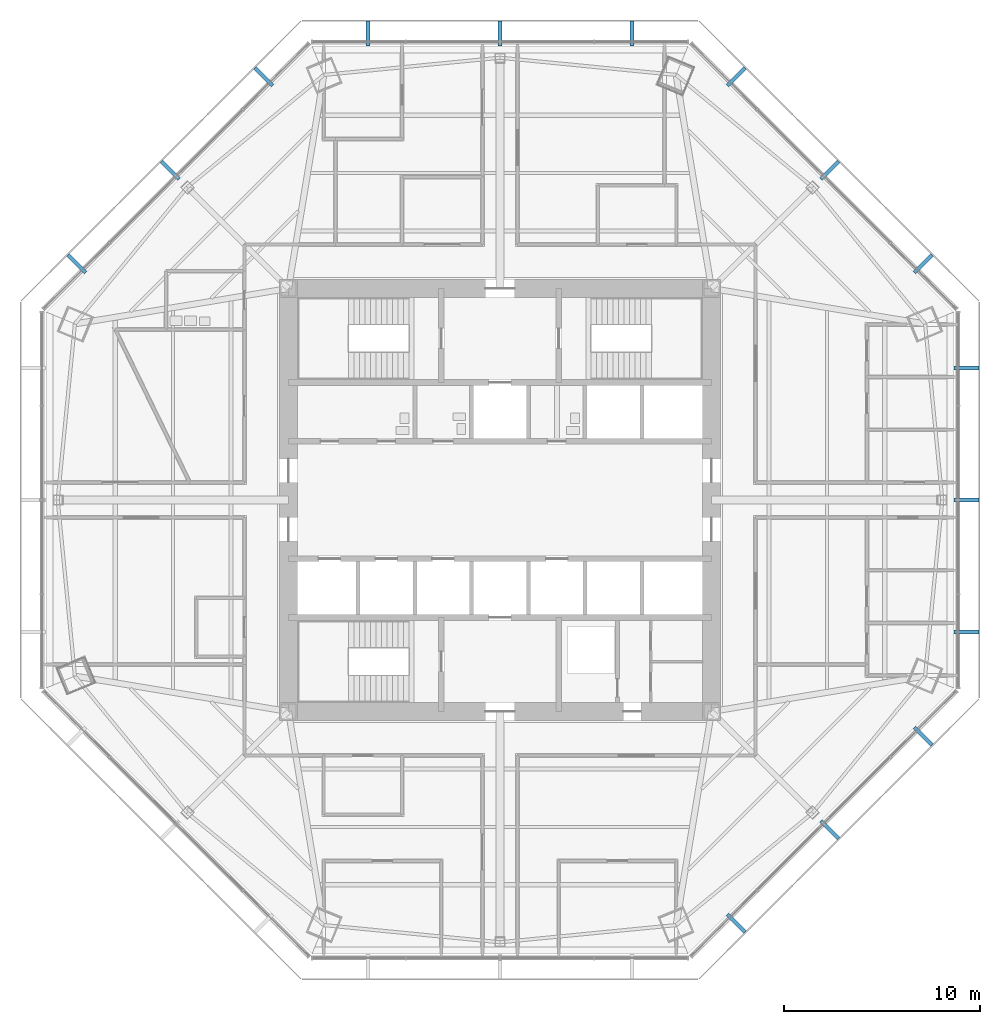
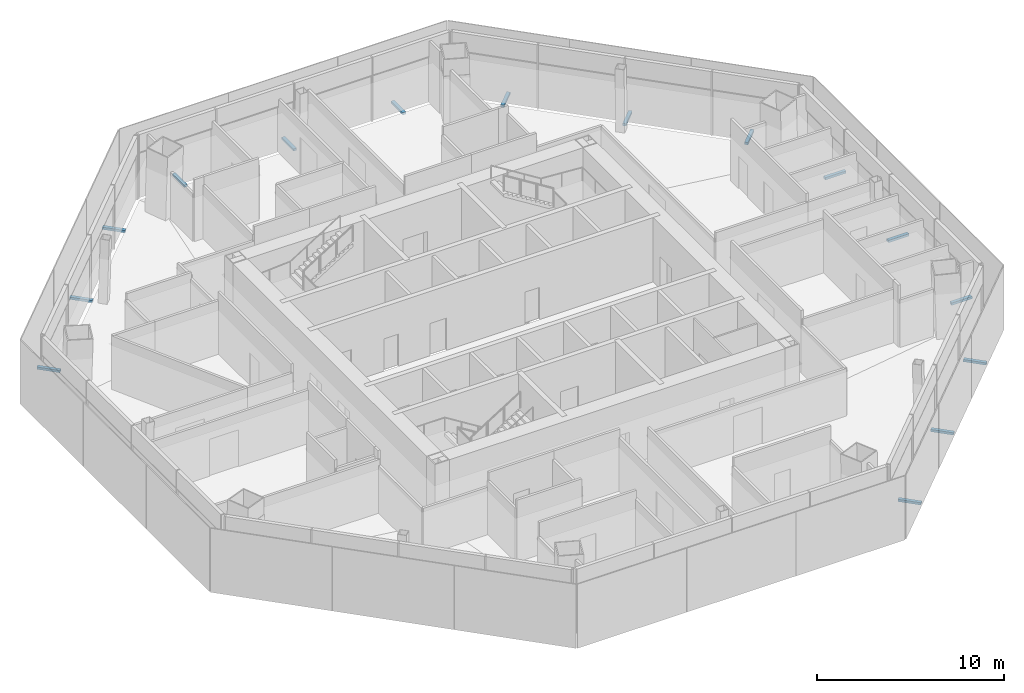
# One storey, part 12 of 15: 15 discrete accessories.
"""IFC4 building model written with IfcOpenShell, lengths in metres."""

from ifc_helpers import new_model, si_unit, direction, frame, origin, origin_2d, place, context, subcontext, project, spatial, rectangle, extrude, source, transform, mapped, material, type_object, type_shapes, element, save


model = new_model("IFC4")

# Units and contexts
model_context = context("Model", 3, precision=1e-05, world=origin(), true_north=direction((0.0, 1.0)))
body_context = subcontext(model_context, "Body", "Model", "MODEL_VIEW")
ifc_project = project(units=[si_unit("LENGTHUNIT", "METRE"), si_unit("AREAUNIT", "SQUARE_METRE"), si_unit("VOLUMEUNIT", "CUBIC_METRE"), si_unit("PLANEANGLEUNIT", "RADIAN"), si_unit("MASSUNIT", "GRAM", prefix="KILO")], contexts=[model_context])

# Site, building, storey
site_placement = place(None, origin())
site = spatial("IfcSite", under=ifc_project, at=site_placement, CompositionType="ELEMENT")
building_placement = place(site_placement, origin())
building = spatial("IfcBuilding", under=site, at=building_placement, Name="Mashrafa Tower", CompositionType="ELEMENT")
storey_placement = place(building_placement, frame((0.0, 0.0, 163.800048828125)))
storey = spatial("IfcBuildingStorey", under=building, at=storey_placement, Name="L37", CompositionType="ELEMENT", Elevation=163.800048828125)

# Discrete accessories
ifc_material = material(Name="Stainless steel screen bracket", Category="steel")
discrete_accessory_type = type_object("IfcDiscreteAccessoryType", Name="Screen support bracket 200 x 150", PredefinedType="BRACKET", material=ifc_material)
shared_shape = source(origin(), body_context, "Body", "SweptSolid", [
    extrude(rectangle(XDim=0.199951171875, YDim=1.27001953125, at=origin_2d()), origin(), (0.0, 0.0, 1.0), 0.14990234375),
])
type_shapes(discrete_accessory_type, [shared_shape])
for number, where, z_axis, x_axis, name in (
    (1, (23.816162109375, -6.745361328125, -0.14990234375), (0.0, 0.0, 1.0), (0.0, 1.0, 0.0), "Screen support bracket L37 east 1"),
    (2, (23.816162109375, 0.0, -0.14990234375), (0.0, 0.0, 1.0), (0.0, 1.0, 0.0), "Screen support bracket L37 east 2"),
    (3, (23.816162109375, 6.745361328125, -0.14990234375), (0.0, 0.0, 1.0), (0.0, 1.0, 0.0), "Screen support bracket L37 east 3"),
    (4, (21.610107421875, 12.07080078125, -0.14990234375), (0.0, 0.0, 1.0), (-0.707106781187, 0.707106781187, 0.0), "Screen support bracket L37 north-east 1"),
    (5, (16.840576171875, 16.840576171875, -0.14990234375), (0.0, 0.0, 1.0), (-0.707106781187, 0.707106781187, 0.0), "Screen support bracket L37 north-east 2"),
    (6, (12.07080078125, 21.610107421875, -0.14990234375), (0.0, 0.0, 1.0), (-0.707106781187, 0.707106781187, 0.0), "Screen support bracket L37 north-east 3"),
    (7, (6.745361328125, 23.816162109375, -0.14990234375), (0.0, 0.0, 1.0), (-1.0, 0.0, 0.0), "Screen support bracket L37 north 1"),
    (8, (0.0, 23.816162109375, -0.14990234375), (0.0, 0.0, 1.0), (-1.0, 0.0, 0.0), "Screen support bracket L37 north 2"),
    (9, (-6.745361328125, 23.816162109375, -0.14990234375), (0.0, 0.0, 1.0), (-1.0, 0.0, 0.0), "Screen support bracket L37 north 3"),
    (10, (-12.07080078125, 21.610107421875, -0.14990234375), (0.0, 0.0, 1.0), (-0.707106781187, -0.707106781187, 0.0), "Screen support bracket L37 north-west 1"),
    (11, (-16.840576171875, 16.840576171875, -0.14990234375), (0.0, 0.0, 1.0), (-0.707106781187, -0.707106781187, 0.0), "Screen support bracket L37 north-west 2"),
    (12, (-21.610107421875, 12.07080078125, -0.14990234375), (0.0, 0.0, 1.0), (-0.707106781187, -0.707106781187, 0.0), "Screen support bracket L37 north-west 3"),
    (13, (12.07080078125, -21.610107421875, -0.14990234375), (0.0, 0.0, 1.0), (0.707106781187, 0.707106781187, 0.0), "Screen support bracket L37 south-east 1"),
    (14, (16.840576171875, -16.840576171875, -0.14990234375), (0.0, 0.0, 1.0), (0.707106781187, 0.707106781187, 0.0), "Screen support bracket L37 south-east 2"),
    (15, (21.610107421875, -12.07080078125, -0.14990234375), (0.0, 0.0, 1.0), (0.707106781187, 0.707106781187, 0.0), "Screen support bracket L37 south-east 3"),
):
    element("IfcDiscreteAccessory", number, at=place(storey_placement, frame(where, z_axis=z_axis, x_axis=x_axis)), inside=storey, type_object=discrete_accessory_type, Name=name, PredefinedType="BRACKET", context=body_context, shape_type="MappedRepresentation", body=[
        mapped(shared_shape, transform((0.0, 0.0, 0.0))),
    ])

save(model, "model.ifc")
